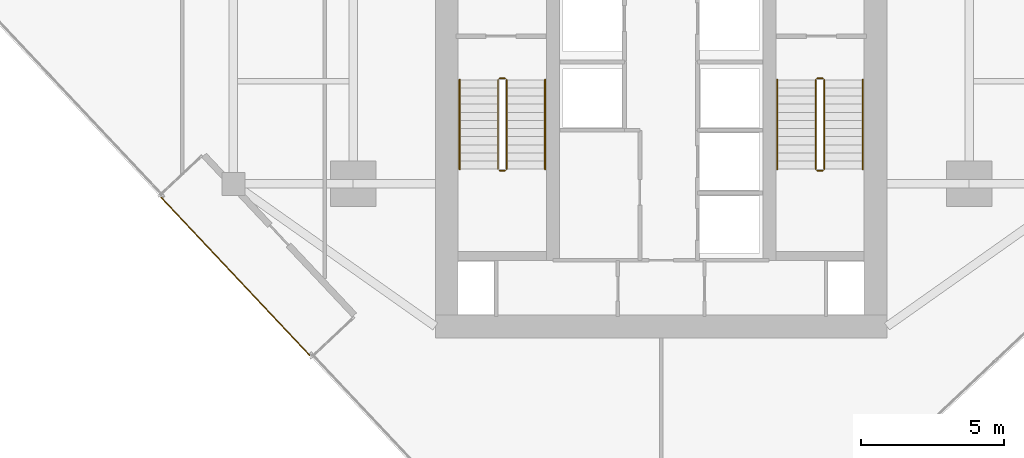
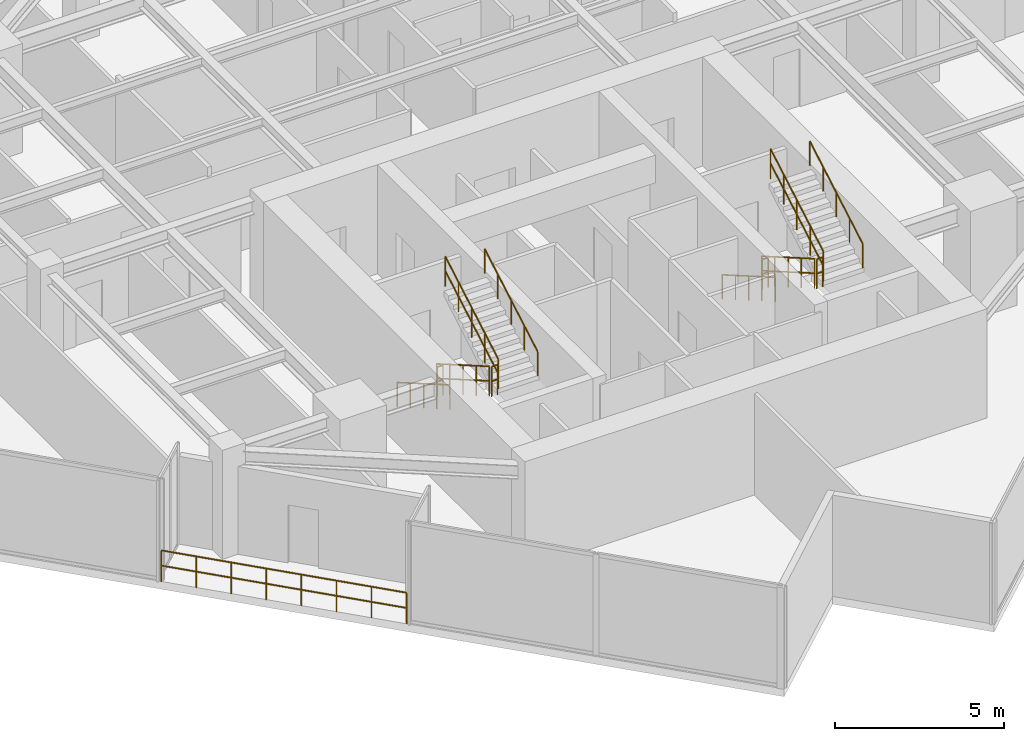
# One storey, part 24 of 25: 13 railings.
"""IFC4 building model written with IfcOpenShell, lengths in metres."""

from ifc_helpers import new_model, si_unit, direction, frame, origin, origin_2d, place, context, subcontext, project, spatial, circle, extrude, material, layer, layer_set, type_object, element, save


model = new_model("IFC4")

# Units and contexts
model_context = context("Model", 3, precision=1e-05, world=origin(), true_north=direction((0.0, 1.0)))
body_context = subcontext(model_context, "Body", "Model", "MODEL_VIEW")
ifc_project = project(units=[si_unit("LENGTHUNIT", "METRE"), si_unit("AREAUNIT", "SQUARE_METRE"), si_unit("VOLUMEUNIT", "CUBIC_METRE"), si_unit("PLANEANGLEUNIT", "RADIAN"), si_unit("MASSUNIT", "GRAM", prefix="KILO")], contexts=[model_context])

# Site, building, storey
site_placement = place(None, origin())
site = spatial("IfcSite", under=ifc_project, at=site_placement, CompositionType="ELEMENT")
building_placement = place(site_placement, origin())
building = spatial("IfcBuilding", under=site, at=building_placement, Name="Krantzveldt Concourse Tower", CompositionType="ELEMENT")
storey_placement = place(building_placement, frame((0.0, 0.0, 238.89990234375)))
storey = spatial("IfcBuildingStorey", under=building, at=storey_placement, Name="L58", CompositionType="ELEMENT", Elevation=238.89990234375)

# Railings
ifc_material = material(Name="Stainless steel 316L", Category="steel")
ifc_layer_1 = layer(ifc_material, 0.080078125, Name="Stainless steel 316L", Category="steel")
ifc_layer_set_1 = layer_set([ifc_layer_1], Name="Stainless steel 316L (RL-BALUSTRADE-1150)")
railing_type_1 = type_object("IfcRailingType", Name="RL-BALUSTRADE-1150", PredefinedType="BALUSTRADE", material=ifc_layer_set_1)
railing_1_placement = place(storey_placement, frame((23.672119140625, 9.885986328125, 0.0)))
element("IfcRailing", 1, at=railing_1_placement, inside=storey, type_object=railing_type_1, Name="GD-L58-CTER-01", PredefinedType="BALUSTRADE", context=body_context, shape_type="SweptSolid", body=[
    extrude(circle(Radius=0.02392578125, at=origin_2d()), frame((0.0, 0.0, 1.1259765625), z_axis=(-0.685190329327, 0.728364065971, 0.0), x_axis=(-0.728364065971, -0.685190329327, 0.0)), (0.0, 0.0, 1.0), 7.60009765625),
    extrude(circle(Radius=0.02392578125, at=origin_2d()), frame((0.0, 0.0, 0.574951171875), z_axis=(-0.685190329327, 0.728364065971, 0.0), x_axis=(-0.728364065971, -0.685190329327, 0.0)), (0.0, 0.0, 1.0), 7.60009765625),
    extrude(circle(Radius=0.02099609375, at=origin_2d()), origin(), (0.0, 0.0, 1.0), 1.101806640625),
    extrude(circle(Radius=0.02099609375, at=origin_2d()), frame((-0.743896484375, 0.790771484375, 0.0)), (0.0, 0.0, 1.0), 1.101806640625),
    extrude(circle(Radius=0.02099609375, at=origin_2d()), frame((-1.48779296875, 1.58154296875, 0.0)), (0.0, 0.0, 1.0), 1.101806640625),
    extrude(circle(Radius=0.02099609375, at=origin_2d()), frame((-2.231689453125, 2.372314453125, 0.0)), (0.0, 0.0, 1.0), 1.101806640625),
    extrude(circle(Radius=0.02099609375, at=origin_2d()), frame((-2.975830078125, 3.163330078125, 0.0)), (0.0, 0.0, 1.0), 1.101806640625),
    extrude(circle(Radius=0.02099609375, at=origin_2d()), frame((-3.7197265625, 3.9541015625, 0.0)), (0.0, 0.0, 1.0), 1.101806640625),
    extrude(circle(Radius=0.02099609375, at=origin_2d()), frame((-4.463623046875, 4.744873046875, 0.0)), (0.0, 0.0, 1.0), 1.101806640625),
    extrude(circle(Radius=0.02099609375, at=origin_2d()), frame((-5.20751953125, 5.53564453125, 0.0)), (0.0, 0.0, 1.0), 1.101806640625),
])
ifc_layer_2 = layer(ifc_material, 0.06005859375, Name="Stainless steel 316L", Category="steel")
ifc_layer_set_2 = layer_set([ifc_layer_2], Name="Stainless steel 316L (RL-GUARD-1120)")
railing_type_2 = type_object("IfcRailingType", Name="RL-GUARD-1120", PredefinedType="GUARDRAIL", material=ifc_layer_set_2)
railing_2_placement = place(storey_placement, frame((30.280029296875, 19.550048828125, 0.164794921875)))
element("IfcRailing", 2, at=railing_2_placement, inside=storey, type_object=railing_type_2, Name="L58 ST-1 stair guard 1", PredefinedType="GUARDRAIL", context=body_context, shape_type="SweptSolid", body=[
    extrude(circle(Radius=0.02392578125, at=origin_2d()), frame((0.0, 0.0, 1.076171875), z_axis=(0.0, -0.865989039225, 0.500062979975), x_axis=(1.0, 0.0, 0.0)), (0.0, 0.0, 1.0), 3.6201171875),
    extrude(circle(Radius=0.02392578125, at=origin_2d()), frame((0.0, 0.0, 0.550048828125), z_axis=(0.0, -0.865989039225, 0.500062979975), x_axis=(1.0, 0.0, 0.0)), (0.0, 0.0, 1.0), 3.6201171875),
    extrude(circle(Radius=0.02099609375, at=origin_2d()), origin(), (0.0, 0.0, 1.0), 1.052001953125),
    extrude(circle(Radius=0.02099609375, at=origin_2d()), frame((0.0, -0.78369140625, 0.45263671875)), (0.0, 0.0, 1.0), 1.052001953125),
    extrude(circle(Radius=0.02099609375, at=origin_2d()), frame((0.0, -1.5673828125, 0.9052734375)), (0.0, 0.0, 1.0), 1.052001953125),
    extrude(circle(Radius=0.02099609375, at=origin_2d()), frame((0.0, -2.351318359375, 1.357666015625)), (0.0, 0.0, 1.0), 1.052001953125),
    extrude(circle(Radius=0.02099609375, at=origin_2d()), frame((0.0, -3.135009765625, 1.810302734375)), (0.0, 0.0, 1.0), 1.052001953125),
])
railing_3_placement = place(storey_placement, frame((30.330078125, 16.364990234375, 1.97509765625)))
element("IfcRailing", 3, at=railing_3_placement, inside=storey, type_object=railing_type_2, Name="L58 ST-1 stair guard 2", PredefinedType="GUARDRAIL", context=body_context, shape_type="SweptSolid", body=[
    extrude(circle(Radius=0.02392578125, at=origin_2d()), frame((0.0, 0.0, 1.076171875), z_axis=(1.0, 0.0, 0.0), x_axis=(0.0, 1.0, 0.0)), (0.0, 0.0, 1.0), 0.199951171875),
    extrude(circle(Radius=0.02392578125, at=origin_2d()), frame((0.0, 0.0, 0.550048828125), z_axis=(1.0, 0.0, 0.0), x_axis=(0.0, 1.0, 0.0)), (0.0, 0.0, 1.0), 0.199951171875),
    extrude(circle(Radius=0.02099609375, at=origin_2d()), origin(), (0.0, 0.0, 1.0), 1.052001953125),
    extrude(circle(Radius=0.02099609375, at=origin_2d()), frame((0.199951171875, 0.0, 0.0)), (0.0, 0.0, 1.0), 1.052001953125),
])
railing_4_placement = place(storey_placement, frame((30.580078125, 16.4150390625, 2.1396484375)))
element("IfcRailing", 4, at=railing_4_placement, inside=storey, type_object=railing_type_2, Name="L58 ST-1 stair guard 3", PredefinedType="GUARDRAIL", context=body_context, shape_type="SweptSolid", body=[
    extrude(circle(Radius=0.02392578125, at=origin_2d()), frame((0.0, 0.0, 1.076171875), z_axis=(0.0, 0.865959834175, 0.500113552702), x_axis=(-1.0, 0.0, 0.0)), (0.0, 0.0, 1.0), 3.620361328125),
    extrude(circle(Radius=0.02392578125, at=origin_2d()), frame((0.0, 0.0, 0.550048828125), z_axis=(0.0, 0.865959834175, 0.500113552702), x_axis=(-1.0, 0.0, 0.0)), (0.0, 0.0, 1.0), 3.620361328125),
    extrude(circle(Radius=0.02099609375, at=origin_2d()), origin(), (0.0, 0.0, 1.0), 1.052001953125),
    extrude(circle(Radius=0.02099609375, at=origin_2d()), frame((0.0, 0.78369140625, 0.45263671875)), (0.0, 0.0, 1.0), 1.052001953125),
    extrude(circle(Radius=0.02099609375, at=origin_2d()), frame((0.0, 1.5673828125, 0.9052734375)), (0.0, 0.0, 1.0), 1.052001953125),
    extrude(circle(Radius=0.02099609375, at=origin_2d()), frame((0.0, 2.351318359375, 1.35791015625)), (0.0, 0.0, 1.0), 1.052001953125),
    extrude(circle(Radius=0.02099609375, at=origin_2d()), frame((0.0, 3.135009765625, 1.810546875)), (0.0, 0.0, 1.0), 1.052001953125),
])
railing_5_placement = place(storey_placement, frame((30.330078125, 19.60009765625, 0.0)))
element("IfcRailing", 5, at=railing_5_placement, inside=storey, type_object=railing_type_2, Name="L58 ST-1 stair guard 4", PredefinedType="GUARDRAIL", context=body_context, shape_type="SweptSolid", body=[
    extrude(circle(Radius=0.02392578125, at=origin_2d()), frame((0.0, 0.0, 1.076171875), z_axis=(1.0, 0.0, 0.0), x_axis=(0.0, 1.0, 0.0)), (0.0, 0.0, 1.0), 0.199951171875),
    extrude(circle(Radius=0.02392578125, at=origin_2d()), frame((0.0, 0.0, 0.550048828125), z_axis=(1.0, 0.0, 0.0), x_axis=(0.0, 1.0, 0.0)), (0.0, 0.0, 1.0), 0.199951171875),
    extrude(circle(Radius=0.02099609375, at=origin_2d()), origin(), (0.0, 0.0, 1.0), 1.052001953125),
    extrude(circle(Radius=0.02099609375, at=origin_2d()), frame((0.199951171875, 0.0, 0.0)), (0.0, 0.0, 1.0), 1.052001953125),
])
railing_6_placement = place(storey_placement, frame((41.419921875, 19.550048828125, 0.164794921875)))
element("IfcRailing", 6, at=railing_6_placement, inside=storey, type_object=railing_type_2, Name="L58 ST-2 stair guard 1", PredefinedType="GUARDRAIL", context=body_context, shape_type="SweptSolid", body=[
    extrude(circle(Radius=0.02392578125, at=origin_2d()), frame((0.0, 0.0, 1.076171875), z_axis=(0.0, -0.865989039225, 0.500062979975), x_axis=(1.0, 0.0, 0.0)), (0.0, 0.0, 1.0), 3.6201171875),
    extrude(circle(Radius=0.02392578125, at=origin_2d()), frame((0.0, 0.0, 0.550048828125), z_axis=(0.0, -0.865989039225, 0.500062979975), x_axis=(1.0, 0.0, 0.0)), (0.0, 0.0, 1.0), 3.6201171875),
    extrude(circle(Radius=0.02099609375, at=origin_2d()), origin(), (0.0, 0.0, 1.0), 1.052001953125),
    extrude(circle(Radius=0.02099609375, at=origin_2d()), frame((0.0, -0.78369140625, 0.45263671875)), (0.0, 0.0, 1.0), 1.052001953125),
    extrude(circle(Radius=0.02099609375, at=origin_2d()), frame((0.0, -1.5673828125, 0.9052734375)), (0.0, 0.0, 1.0), 1.052001953125),
    extrude(circle(Radius=0.02099609375, at=origin_2d()), frame((0.0, -2.351318359375, 1.357666015625)), (0.0, 0.0, 1.0), 1.052001953125),
    extrude(circle(Radius=0.02099609375, at=origin_2d()), frame((0.0, -3.135009765625, 1.810302734375)), (0.0, 0.0, 1.0), 1.052001953125),
])
railing_7_placement = place(storey_placement, frame((41.469970703125, 16.364990234375, 1.97509765625)))
element("IfcRailing", 7, at=railing_7_placement, inside=storey, type_object=railing_type_2, Name="L58 ST-2 stair guard 2", PredefinedType="GUARDRAIL", context=body_context, shape_type="SweptSolid", body=[
    extrude(circle(Radius=0.02392578125, at=origin_2d()), frame((0.0, 0.0, 1.076171875), z_axis=(1.0, 0.0, 0.0), x_axis=(0.0, 1.0, 0.0)), (0.0, 0.0, 1.0), 0.199951171875),
    extrude(circle(Radius=0.02392578125, at=origin_2d()), frame((0.0, 0.0, 0.550048828125), z_axis=(1.0, 0.0, 0.0), x_axis=(0.0, 1.0, 0.0)), (0.0, 0.0, 1.0), 0.199951171875),
    extrude(circle(Radius=0.02099609375, at=origin_2d()), origin(), (0.0, 0.0, 1.0), 1.052001953125),
    extrude(circle(Radius=0.02099609375, at=origin_2d()), frame((0.199951171875, 0.0, 0.0)), (0.0, 0.0, 1.0), 1.052001953125),
])
railing_8_placement = place(storey_placement, frame((41.719970703125, 16.4150390625, 2.1396484375)))
element("IfcRailing", 8, at=railing_8_placement, inside=storey, type_object=railing_type_2, Name="L58 ST-2 stair guard 3", PredefinedType="GUARDRAIL", context=body_context, shape_type="SweptSolid", body=[
    extrude(circle(Radius=0.02392578125, at=origin_2d()), frame((0.0, 0.0, 1.076171875), z_axis=(0.0, 0.865959834175, 0.500113552702), x_axis=(-1.0, 0.0, 0.0)), (0.0, 0.0, 1.0), 3.620361328125),
    extrude(circle(Radius=0.02392578125, at=origin_2d()), frame((0.0, 0.0, 0.550048828125), z_axis=(0.0, 0.865959834175, 0.500113552702), x_axis=(-1.0, 0.0, 0.0)), (0.0, 0.0, 1.0), 3.620361328125),
    extrude(circle(Radius=0.02099609375, at=origin_2d()), origin(), (0.0, 0.0, 1.0), 1.052001953125),
    extrude(circle(Radius=0.02099609375, at=origin_2d()), frame((0.0, 0.78369140625, 0.45263671875)), (0.0, 0.0, 1.0), 1.052001953125),
    extrude(circle(Radius=0.02099609375, at=origin_2d()), frame((0.0, 1.5673828125, 0.9052734375)), (0.0, 0.0, 1.0), 1.052001953125),
    extrude(circle(Radius=0.02099609375, at=origin_2d()), frame((0.0, 2.351318359375, 1.35791015625)), (0.0, 0.0, 1.0), 1.052001953125),
    extrude(circle(Radius=0.02099609375, at=origin_2d()), frame((0.0, 3.135009765625, 1.810546875)), (0.0, 0.0, 1.0), 1.052001953125),
])
railing_9_placement = place(storey_placement, frame((41.469970703125, 19.60009765625, 0.0)))
element("IfcRailing", 9, at=railing_9_placement, inside=storey, type_object=railing_type_2, Name="L58 ST-2 stair guard 4", PredefinedType="GUARDRAIL", context=body_context, shape_type="SweptSolid", body=[
    extrude(circle(Radius=0.02392578125, at=origin_2d()), frame((0.0, 0.0, 1.076171875), z_axis=(1.0, 0.0, 0.0), x_axis=(0.0, 1.0, 0.0)), (0.0, 0.0, 1.0), 0.199951171875),
    extrude(circle(Radius=0.02392578125, at=origin_2d()), frame((0.0, 0.0, 0.550048828125), z_axis=(1.0, 0.0, 0.0), x_axis=(0.0, 1.0, 0.0)), (0.0, 0.0, 1.0), 0.199951171875),
    extrude(circle(Radius=0.02099609375, at=origin_2d()), origin(), (0.0, 0.0, 1.0), 1.052001953125),
    extrude(circle(Radius=0.02099609375, at=origin_2d()), frame((0.199951171875, 0.0, 0.0)), (0.0, 0.0, 1.0), 1.052001953125),
])
ifc_layer_3 = layer(ifc_material, 0.050048828125, Name="Stainless steel 316L", Category="steel")
ifc_layer_set_3 = layer_set([ifc_layer_3], Name="Stainless steel 316L (RL-HANDRAIL-920)")
railing_type_3 = type_object("IfcRailingType", Name="RL-HANDRAIL-920", PredefinedType="HANDRAIL", material=ifc_layer_set_3)
railing_10_placement = place(storey_placement, frame((28.929931640625, 19.550048828125, 0.164794921875)))
element("IfcRailing", 10, at=railing_10_placement, inside=storey, type_object=railing_type_3, Name="L58 ST-1 stair handrail 1", PredefinedType="HANDRAIL", context=body_context, shape_type="SweptSolid", body=[
    extrude(circle(Radius=0.02392578125, at=origin_2d()), frame((0.0, 0.0, 0.8759765625), z_axis=(0.0, -0.865989039225, 0.500062979975), x_axis=(1.0, 0.0, 0.0)), (0.0, 0.0, 1.0), 3.6201171875),
    extrude(circle(Radius=0.02099609375, at=origin_2d()), origin(), (0.0, 0.0, 1.0), 0.851806640625),
    extrude(circle(Radius=0.02099609375, at=origin_2d()), frame((0.0, -0.78369140625, 0.45263671875)), (0.0, 0.0, 1.0), 0.851806640625),
    extrude(circle(Radius=0.02099609375, at=origin_2d()), frame((0.0, -1.5673828125, 0.9052734375)), (0.0, 0.0, 1.0), 0.851806640625),
    extrude(circle(Radius=0.02099609375, at=origin_2d()), frame((0.0, -2.351318359375, 1.357666015625)), (0.0, 0.0, 1.0), 0.851806640625),
    extrude(circle(Radius=0.02099609375, at=origin_2d()), frame((0.0, -3.135009765625, 1.810302734375)), (0.0, 0.0, 1.0), 0.851806640625),
])
railing_11_placement = place(storey_placement, frame((31.929931640625, 16.4150390625, 2.1396484375)))
element("IfcRailing", 11, at=railing_11_placement, inside=storey, type_object=railing_type_3, Name="L58 ST-1 stair handrail 2", PredefinedType="HANDRAIL", context=body_context, shape_type="SweptSolid", body=[
    extrude(circle(Radius=0.02392578125, at=origin_2d()), frame((0.0, 0.0, 0.8759765625), z_axis=(0.0, 0.865959834175, 0.500113552702), x_axis=(-1.0, 0.0, 0.0)), (0.0, 0.0, 1.0), 3.620361328125),
    extrude(circle(Radius=0.02099609375, at=origin_2d()), origin(), (0.0, 0.0, 1.0), 0.851806640625),
    extrude(circle(Radius=0.02099609375, at=origin_2d()), frame((0.0, 0.78369140625, 0.45263671875)), (0.0, 0.0, 1.0), 0.851806640625),
    extrude(circle(Radius=0.02099609375, at=origin_2d()), frame((0.0, 1.5673828125, 0.9052734375)), (0.0, 0.0, 1.0), 0.851806640625),
    extrude(circle(Radius=0.02099609375, at=origin_2d()), frame((0.0, 2.351318359375, 1.35791015625)), (0.0, 0.0, 1.0), 0.851806640625),
    extrude(circle(Radius=0.02099609375, at=origin_2d()), frame((0.0, 3.135009765625, 1.810546875)), (0.0, 0.0, 1.0), 0.851806640625),
])
railing_12_placement = place(storey_placement, frame((40.070068359375, 19.550048828125, 0.164794921875)))
element("IfcRailing", 12, at=railing_12_placement, inside=storey, type_object=railing_type_3, Name="L58 ST-2 stair handrail 1", PredefinedType="HANDRAIL", context=body_context, shape_type="SweptSolid", body=[
    extrude(circle(Radius=0.02392578125, at=origin_2d()), frame((0.0, 0.0, 0.8759765625), z_axis=(0.0, -0.865989039225, 0.500062979975), x_axis=(1.0, 0.0, 0.0)), (0.0, 0.0, 1.0), 3.6201171875),
    extrude(circle(Radius=0.02099609375, at=origin_2d()), origin(), (0.0, 0.0, 1.0), 0.851806640625),
    extrude(circle(Radius=0.02099609375, at=origin_2d()), frame((0.0, -0.78369140625, 0.45263671875)), (0.0, 0.0, 1.0), 0.851806640625),
    extrude(circle(Radius=0.02099609375, at=origin_2d()), frame((0.0, -1.5673828125, 0.9052734375)), (0.0, 0.0, 1.0), 0.851806640625),
    extrude(circle(Radius=0.02099609375, at=origin_2d()), frame((0.0, -2.351318359375, 1.357666015625)), (0.0, 0.0, 1.0), 0.851806640625),
    extrude(circle(Radius=0.02099609375, at=origin_2d()), frame((0.0, -3.135009765625, 1.810302734375)), (0.0, 0.0, 1.0), 0.851806640625),
])
railing_13_placement = place(storey_placement, frame((43.070068359375, 16.4150390625, 2.1396484375)))
element("IfcRailing", 13, at=railing_13_placement, inside=storey, type_object=railing_type_3, Name="L58 ST-2 stair handrail 2", PredefinedType="HANDRAIL", context=body_context, shape_type="SweptSolid", body=[
    extrude(circle(Radius=0.02392578125, at=origin_2d()), frame((0.0, 0.0, 0.8759765625), z_axis=(0.0, 0.865959834175, 0.500113552702), x_axis=(-1.0, 0.0, 0.0)), (0.0, 0.0, 1.0), 3.620361328125),
    extrude(circle(Radius=0.02099609375, at=origin_2d()), origin(), (0.0, 0.0, 1.0), 0.851806640625),
    extrude(circle(Radius=0.02099609375, at=origin_2d()), frame((0.0, 0.78369140625, 0.45263671875)), (0.0, 0.0, 1.0), 0.851806640625),
    extrude(circle(Radius=0.02099609375, at=origin_2d()), frame((0.0, 1.5673828125, 0.9052734375)), (0.0, 0.0, 1.0), 0.851806640625),
    extrude(circle(Radius=0.02099609375, at=origin_2d()), frame((0.0, 2.351318359375, 1.35791015625)), (0.0, 0.0, 1.0), 0.851806640625),
    extrude(circle(Radius=0.02099609375, at=origin_2d()), frame((0.0, 3.135009765625, 1.810546875)), (0.0, 0.0, 1.0), 0.851806640625),
])

save(model, "model.ifc")
